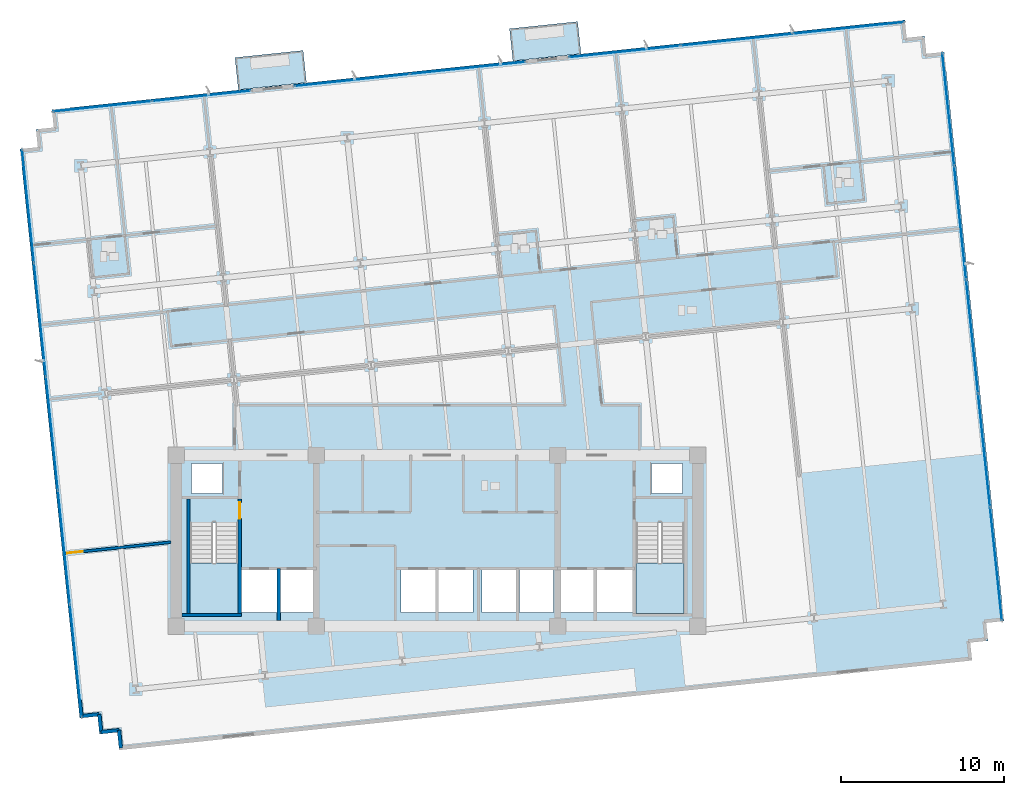
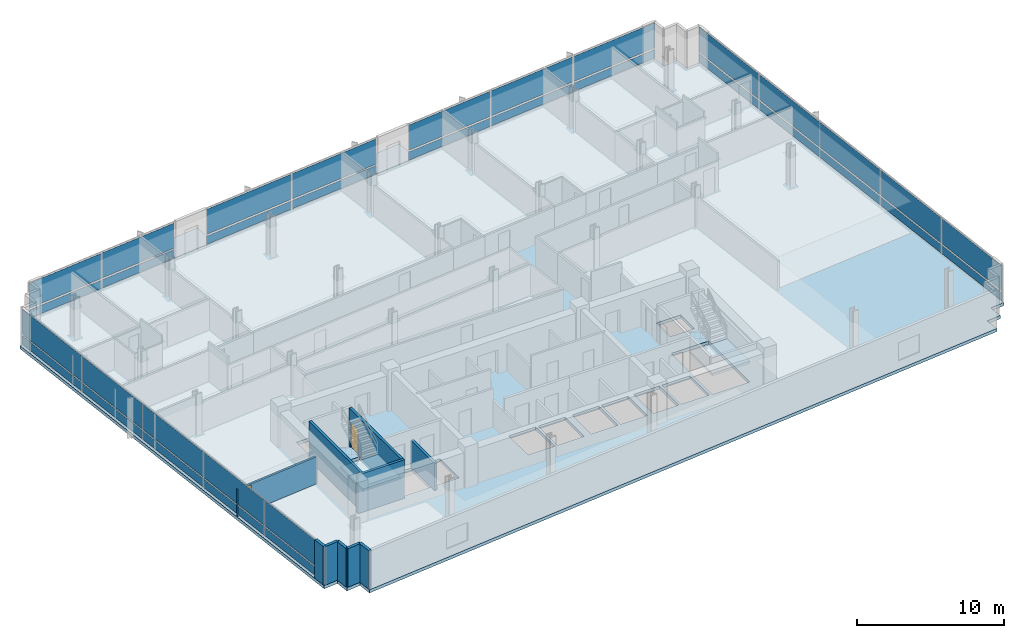
# One storey, part 9 of 18: 34 plates, 10 walls, 5 slabs, 2 doors, 2 openings, 7 elements without a shape of their own.
"""IFC4 building model written with IfcOpenShell, lengths in metres."""

import ifcopenshell
import ifcopenshell.guid

model = None  # the IFC model being written
_history = None  # IfcOwnerHistory: only IFC2X3 demands one
_inside = {}  # id of a spatial element -> (the spatial element, [elements in it])
_under = {}  # id of a project, library or spatial element -> (it, [spatial elements below it])
_declared = {}  # id of a project -> (the project, [libraries it declares])
_typed = {}  # id of a type object -> (the type object, [elements of that type])
_made_of = {}  # id of a material, layer set ... -> (it, [elements and type objects made of it])


def new_model(schema):
    """Start an empty IFC model of exactly this schema.

    Asked for "IFC4X3", IfcOpenShell would pick the latest addendum, in which some entities
    have other attributes; the version numbers below select the first issue.
    IFC2X3 requires an IfcOwnerHistory on every rooted entity: one is made here for all.
    """
    global model, _history
    if schema == "IFC4X3":
        model = ifcopenshell.file(schema_version=(4, 3, 0, 0))
    else:
        model = ifcopenshell.file(schema=schema)
    _inside.clear()
    _under.clear()
    _declared.clear()
    _typed.clear()
    _made_of.clear()
    _history = None
    if model.schema == "IFC2X3":
        org = make("IfcOrganization", Name="unknown")
        user = make(
            "IfcPersonAndOrganization",
            ThePerson=make("IfcPerson", FamilyName="unknown"),
            TheOrganization=org,
        )
        app = make(
            "IfcApplication",
            ApplicationDeveloper=org,
            Version="unknown",
            ApplicationFullName="unknown",
            ApplicationIdentifier="unknown",
        )
        _history = make(
            "IfcOwnerHistory",
            OwningUser=user,
            OwningApplication=app,
            ChangeAction="ADDED",
            CreationDate=0,
        )
    return model


def make(cls, **values):
    """One entity of the class cls with the attributes given. An attribute that is None is left unset."""
    return model.create_entity(
        cls, **{name: value for name, value in values.items() if value is not None}
    )


def rooted(cls, **values):
    """An entity with a GlobalId (a new one), such as an element, a storey or a relation."""
    return make(cls, GlobalId=ifcopenshell.guid.new(), OwnerHistory=_history, **values)


def si_unit(unit_type, name, prefix=None):
    """IfcSIUnit, for example si_unit("LENGTHUNIT", "METRE", prefix="MILLI")."""
    return make("IfcSIUnit", UnitType=unit_type, Prefix=prefix, Name=name)


def assignment(units):
    """IfcUnitAssignment: the units of a project."""
    return None if units is None else make("IfcUnitAssignment", Units=units)


def point(xyz):
    """IfcCartesianPoint."""
    return None if xyz is None else make("IfcCartesianPoint", Coordinates=xyz)


def direction(xyz):
    """IfcDirection."""
    return None if xyz is None else make("IfcDirection", DirectionRatios=xyz)


def frame(location, z_axis=None, x_axis=None):
    """IfcAxis2Placement3D, a coordinate frame: its origin and axes. An axis left out is left unset."""
    return make(
        "IfcAxis2Placement3D",
        Location=point(location),
        Axis=direction(z_axis),
        RefDirection=direction(x_axis),
    )


def frame_2d(location, x_axis=None):
    """IfcAxis2Placement2D, a coordinate frame in the plane: its origin and x axis."""
    return make(
        "IfcAxis2Placement2D", Location=point(location), RefDirection=direction(x_axis)
    )


def origin():
    """The frame at (0, 0, 0) with its axes left unset."""
    return frame((0.0, 0.0, 0.0))


def origin_2d():
    """The frame at (0, 0) in the plane with its x axis left unset."""
    return frame_2d((0.0, 0.0))


def place(relative_to, where):
    """IfcLocalPlacement: puts the frame where relative to a parent placement (None: the world)."""
    return make(
        "IfcLocalPlacement", PlacementRelTo=relative_to, RelativePlacement=where
    )


def context(
    kind, dimensions, precision=None, world=None, true_north=None, identifier=None
):
    """IfcGeometricRepresentationContext, for example the 3D "Model" context."""
    return make(
        "IfcGeometricRepresentationContext",
        ContextIdentifier=identifier,
        ContextType=kind,
        CoordinateSpaceDimension=dimensions,
        Precision=precision,
        WorldCoordinateSystem=world,
        TrueNorth=true_north,
    )


def subcontext(parent, identifier, kind, view, scale=None):
    """IfcGeometricRepresentationSubContext, for example "Body" below "Model"."""
    return make(
        "IfcGeometricRepresentationSubContext",
        ContextIdentifier=identifier,
        ContextType=kind,
        ParentContext=parent,
        TargetScale=scale,
        TargetView=view,
    )


def project(units=None, contexts=None):
    """IfcProject with its units and contexts."""
    return rooted(
        "IfcProject",
        Name="project",
        RepresentationContexts=contexts,
        UnitsInContext=assignment(units),
    )


def spatial(cls, under=None, at=None, **own):
    """A site, building, storey or space (cls), placed at a placement, below another one or the project."""
    s = rooted(cls, ObjectPlacement=at, **own)
    if under is not None:
        _under.setdefault(under.id(), (under, []))[1].append(s)
    return s


def polyline(points):
    """IfcPolyline through the points."""
    return make("IfcPolyline", Points=[point(p) for p in points])


def profile(cls, at=None, kind="AREA", **sizes):
    """A parametric profile (cls). Its sizes go by their IFC names, for example OverallWidth=200.0."""
    return make(cls, ProfileType=kind, Position=at, **sizes)


def rectangle(**sizes):
    """IfcRectangleProfileDef."""
    return profile("IfcRectangleProfileDef", **sizes)


def outline(outer, holes=None, kind="AREA"):
    """IfcArbitraryClosedProfileDef: a profile drawn as a closed curve; with holes, ...WithVoids."""
    if holes is None:
        return make("IfcArbitraryClosedProfileDef", ProfileType=kind, OuterCurve=outer)
    return make(
        "IfcArbitraryProfileDefWithVoids",
        ProfileType=kind,
        OuterCurve=outer,
        InnerCurves=holes,
    )


def extrude(swept, where, along, depth):
    """IfcExtrudedAreaSolid: the profile swept, set in the frame where, extruded along a direction by depth."""
    return make(
        "IfcExtrudedAreaSolid",
        SweptArea=swept,
        Position=where,
        ExtrudedDirection=direction(along),
        Depth=depth,
    )


def shape(context_of_items, identifier, shape_type, items):
    """IfcShapeRepresentation: the items that make up one representation, for example the "Body"."""
    return make(
        "IfcShapeRepresentation",
        ContextOfItems=context_of_items,
        RepresentationIdentifier=identifier,
        RepresentationType=shape_type,
        Items=items,
    )


def material(Name=None, Category=None):
    """IfcMaterial."""
    return make("IfcMaterial", Name=Name, Category=Category)


def layer(
    of_material, thickness, ventilated=None, Name=None, Category=None, Priority=None
):
    """IfcMaterialLayer: one layer of a wall or slab, of a material (None: an air gap)."""
    return make(
        "IfcMaterialLayer",
        Material=of_material,
        LayerThickness=thickness,
        IsVentilated=ventilated,
        Name=Name,
        Category=Category,
        Priority=Priority,
    )


def layer_set(layers, Name=None):
    """IfcMaterialLayerSet."""
    return make("IfcMaterialLayerSet", MaterialLayers=layers, LayerSetName=Name)


def made_of(thing, what):
    """Note that an element or type object is made of a material, layer set ...; save() writes the relation."""
    if what is not None:
        _made_of.setdefault(what.id(), (what, []))[1].append(thing)
    return thing


def type_object(cls, material=None, **own):
    """A type object (cls), such as IfcWallType, which elements share."""
    return made_of(rooted(cls, **own), material)


def element(
    cls,
    number,
    at=None,
    inside=None,
    cuts=None,
    type_object=None,
    material=None,
    context=None,
    identifier="Body",
    shape_type=None,
    held_by="IfcProductDefinitionShape",
    body=None,
    shapes=None,
    **own,
):
    """One element of the class cls, such as IfcWall. Its Tag is "e" and its number.

    at: its placement. inside: the storey or other place that contains it. cuts: it is an
    opening in that element (IfcRelVoidsElement). A single representation is given by context,
    identifier, shape_type and body (its items); several are given by shapes. held_by: the class
    of the entity that holds the representations. save() writes the other relations.
    """
    e = rooted(cls, Tag="e%d" % number, ObjectPlacement=at, **own)
    if body is not None:
        shapes = [shape(context, identifier, shape_type, body)]
    if shapes is not None:
        e.Representation = make(held_by, Representations=shapes)
    if inside is not None:
        _inside.setdefault(inside.id(), (inside, []))[1].append(e)
    if cuts is not None:
        rooted(
            "IfcRelVoidsElement", RelatingBuildingElement=cuts, RelatedOpeningElement=e
        )
    if type_object is not None:
        _typed.setdefault(type_object.id(), (type_object, []))[1].append(e)
    return made_of(e, material)


def fill(opening, filler):
    """IfcRelFillsElement: the door or window that sits in an opening."""
    return rooted(
        "IfcRelFillsElement",
        RelatingOpeningElement=opening,
        RelatedBuildingElement=filler,
    )


def aggregate(whole, parts):
    """IfcRelAggregates: a whole, such as a stair, and the parts it consists of."""
    return rooted("IfcRelAggregates", RelatingObject=whole, RelatedObjects=parts)


def save(model, path):
    """Write the relations noted so far, then the file.

    IfcRelAggregates (storeys below a building ...), IfcRelContainedInSpatialStructure (elements
    in a storey), IfcRelDefinesByType, IfcRelAssociatesMaterial and IfcRelDeclares: one each for
    every whole, place, type object, material and project.
    """
    for whole, parts in _under.values():
        aggregate(whole, parts)
    for where, things in _inside.values():
        rooted(
            "IfcRelContainedInSpatialStructure",
            RelatedElements=things,
            RelatingStructure=where,
        )
    for kind, things in _typed.values():
        rooted("IfcRelDefinesByType", RelatedObjects=things, RelatingType=kind)
    for what, things in _made_of.values():
        rooted("IfcRelAssociatesMaterial", RelatedObjects=things, RelatingMaterial=what)
    for by, libraries in _declared.values():
        rooted("IfcRelDeclares", RelatingContext=by, RelatedDefinitions=libraries)
    model.write(path)


model = new_model("IFC4")

# Units and contexts
model_context = context("Model", 3, precision=1e-05, world=origin(), true_north=direction((0.0, 1.0)))
body_context = subcontext(model_context, "Body", "Model", "MODEL_VIEW")
ifc_project = project(units=[si_unit("LENGTHUNIT", "METRE"), si_unit("AREAUNIT", "SQUARE_METRE"), si_unit("VOLUMEUNIT", "CUBIC_METRE"), si_unit("PLANEANGLEUNIT", "RADIAN"), si_unit("MASSUNIT", "GRAM", prefix="KILO")], contexts=[model_context])

# Site, building, storey
site_placement = place(None, origin())
site = spatial("IfcSite", under=ifc_project, at=site_placement, CompositionType="ELEMENT")
building_placement = place(site_placement, origin())
building = spatial("IfcBuilding", under=site, at=building_placement, Name="Solmavex Isthmus Hotel", CompositionType="ELEMENT")
storey_placement = place(building_placement, frame((0.0, 0.0, 123.60009765625)))
storey = spatial("IfcBuildingStorey", under=building, at=storey_placement, Name="L33", CompositionType="ELEMENT", Elevation=123.60009765625)

# Curtain wall, plates
ifc_material_1 = material(Name="Aluminium alloy 6063-T6", Category="aluminium")
curtain_wall_type = type_object("IfcCurtainWallType", Name="CW-SYS-03", PredefinedType="NOTDEFINED", material=ifc_material_1)
curtain_wall_1_placement = place(storey_placement, origin())
curtain_wall_1 = element("IfcCurtainWall", 1, at=curtain_wall_1_placement, inside=storey, type_object=curtain_wall_type, Name="Stick Curtain Wall CWL-L33-N1", PredefinedType="NOTDEFINED")
ifc_material_2 = material(Name="Clear low-E laminated glass", Category="glass")
ifc_layer_1 = layer(ifc_material_2, 0.030029296875)
ifc_layer_set_1 = layer_set([ifc_layer_1], Name="Clear low-E laminated glass")
plate_type = type_object("IfcPlateType", Name="CW-SYS-03-PNL", PredefinedType="CURTAIN_PANEL", material=ifc_layer_set_1)
plate_1_placement = place(storey_placement, frame((-20.531982421875, 18.896728515625, 0.139892578125), z_axis=(0.0, 0.0, 1.0), x_axis=(0.994521931062, 0.104528123665, 0.0)))
plate_1 = element("IfcPlate", 2, at=plate_1_placement, type_object=plate_type, Name="CW-03 panel 1.1", PredefinedType="CURTAIN_PANEL", context=body_context, shape_type="SweptSolid", body=[
    extrude(rectangle(XDim=6.04541015625, YDim=0.030029296875, at=origin_2d()), origin(), (0.0, 0.0, 1.0), 0.68994140625),
])
plate_2_placement = place(storey_placement, frame((-20.531982421875, 18.896728515625, 0.969970703125), z_axis=(0.0, 0.0, 1.0), x_axis=(0.994521931062, 0.104528123665, 0.0)))
plate_2 = element("IfcPlate", 3, at=plate_2_placement, type_object=plate_type, Name="CW-03 panel 1.2", PredefinedType="CURTAIN_PANEL", context=body_context, shape_type="SweptSolid", body=[
    extrude(rectangle(XDim=6.04541015625, YDim=0.030029296875, at=origin_2d()), origin(), (0.0, 0.0, 1.0), 2.080078125),
])
plate_3_placement = place(storey_placement, frame((-14.449951171875, 19.535888671875, 0.139892578125), z_axis=(0.0, 0.0, 1.0), x_axis=(0.994521931062, 0.104528123665, 0.0)))
plate_3 = element("IfcPlate", 4, at=plate_3_placement, type_object=plate_type, Name="CW-03 panel 2.1", PredefinedType="CURTAIN_PANEL", context=body_context, shape_type="SweptSolid", body=[
    extrude(rectangle(XDim=6.04541015625, YDim=0.030029296875, at=origin_2d()), origin(), (0.0, 0.0, 1.0), 0.68994140625),
])
plate_4_placement = place(storey_placement, frame((-14.449951171875, 19.535888671875, 0.969970703125), z_axis=(0.0, 0.0, 1.0), x_axis=(0.994521931062, 0.104528123665, 0.0)))
plate_4 = element("IfcPlate", 5, at=plate_4_placement, type_object=plate_type, Name="CW-03 panel 2.2", PredefinedType="CURTAIN_PANEL", context=body_context, shape_type="SweptSolid", body=[
    extrude(rectangle(XDim=6.04541015625, YDim=0.030029296875, at=origin_2d()), origin(), (0.0, 0.0, 1.0), 2.080078125),
])
aggregate(curtain_wall_1, [plate_1, plate_2, plate_3, plate_4])

curtain_wall_2_placement = place(storey_placement, origin())
curtain_wall_2 = element("IfcCurtainWall", 6, at=curtain_wall_2_placement, inside=storey, type_object=curtain_wall_type, Name="Stick Curtain Wall CWL-L33-N2", PredefinedType="NOTDEFINED")
plate_5_placement = place(storey_placement, frame((-5.207763671875, 20.50732421875, 0.139892578125), z_axis=(0.0, 0.0, 1.0), x_axis=(0.994521911082, 0.104528313766, 0.0)))
plate_5 = element("IfcPlate", 7, at=plate_5_placement, type_object=plate_type, Name="CW-03 panel 1.1", PredefinedType="CURTAIN_PANEL", context=body_context, shape_type="SweptSolid", body=[
    extrude(rectangle(XDim=7.06103515625, YDim=0.030029296875, at=origin_2d()), origin(), (0.0, 0.0, 1.0), 0.68994140625),
])
plate_6_placement = place(storey_placement, frame((-5.207763671875, 20.50732421875, 0.969970703125), z_axis=(0.0, 0.0, 1.0), x_axis=(0.994521911082, 0.104528313766, 0.0)))
plate_6 = element("IfcPlate", 8, at=plate_6_placement, type_object=plate_type, Name="CW-03 panel 1.2", PredefinedType="CURTAIN_PANEL", context=body_context, shape_type="SweptSolid", body=[
    extrude(rectangle(XDim=7.06103515625, YDim=0.030029296875, at=origin_2d()), origin(), (0.0, 0.0, 1.0), 2.080078125),
])
plate_7_placement = place(storey_placement, frame((1.88427734375, 21.252685546875, 0.139892578125), z_axis=(0.0, 0.0, 1.0), x_axis=(0.994521911082, 0.104528313766, 0.0)))
plate_7 = element("IfcPlate", 9, at=plate_7_placement, type_object=plate_type, Name="CW-03 panel 2.1", PredefinedType="CURTAIN_PANEL", context=body_context, shape_type="SweptSolid", body=[
    extrude(rectangle(XDim=7.06103515625, YDim=0.030029296875, at=origin_2d()), origin(), (0.0, 0.0, 1.0), 0.68994140625),
])
plate_8_placement = place(storey_placement, frame((1.88427734375, 21.252685546875, 0.969970703125), z_axis=(0.0, 0.0, 1.0), x_axis=(0.994521911082, 0.104528313766, 0.0)))
plate_8 = element("IfcPlate", 10, at=plate_8_placement, type_object=plate_type, Name="CW-03 panel 2.2", PredefinedType="CURTAIN_PANEL", context=body_context, shape_type="SweptSolid", body=[
    extrude(rectangle(XDim=7.06103515625, YDim=0.030029296875, at=origin_2d()), origin(), (0.0, 0.0, 1.0), 2.080078125),
])
aggregate(curtain_wall_2, [plate_5, plate_6, plate_7, plate_8])

curtain_wall_3_placement = place(storey_placement, origin())
curtain_wall_3 = element("IfcCurtainWall", 11, at=curtain_wall_3_placement, inside=storey, type_object=curtain_wall_type, Name="Stick Curtain Wall CWL-L33-N3", PredefinedType="NOTDEFINED")
plate_9_placement = place(storey_placement, frame((11.510498046875, 22.264404296875, 0.139892578125), z_axis=(0.0, 0.0, 1.0), x_axis=(0.994521905105, 0.10452837063, 0.0)))
plate_9 = element("IfcPlate", 12, at=plate_9_placement, type_object=plate_type, Name="CW-03 panel 1.1", PredefinedType="CURTAIN_PANEL", context=body_context, shape_type="SweptSolid", body=[
    extrude(rectangle(XDim=6.8173828125, YDim=0.030029296875, at=origin_2d()), origin(), (0.0, 0.0, 1.0), 0.68994140625),
])
plate_10_placement = place(storey_placement, frame((11.510498046875, 22.264404296875, 0.969970703125), z_axis=(0.0, 0.0, 1.0), x_axis=(0.994521905105, 0.10452837063, 0.0)))
plate_10 = element("IfcPlate", 13, at=plate_10_placement, type_object=plate_type, Name="CW-03 panel 1.2", PredefinedType="CURTAIN_PANEL", context=body_context, shape_type="SweptSolid", body=[
    extrude(rectangle(XDim=6.8173828125, YDim=0.030029296875, at=origin_2d()), origin(), (0.0, 0.0, 1.0), 2.080078125),
])
plate_11_placement = place(storey_placement, frame((18.37744140625, 22.986083984375, 0.139892578125), z_axis=(0.0, 0.0, 1.0), x_axis=(0.994521905105, 0.10452837063, 0.0)))
plate_11 = element("IfcPlate", 14, at=plate_11_placement, type_object=plate_type, Name="CW-03 panel 2.1", PredefinedType="CURTAIN_PANEL", context=body_context, shape_type="SweptSolid", body=[
    extrude(rectangle(XDim=6.852294921875, YDim=0.030029296875, at=origin_2d()), origin(), (0.0, 0.0, 1.0), 0.68994140625),
])
plate_12_placement = place(storey_placement, frame((18.37744140625, 22.986083984375, 0.969970703125), z_axis=(0.0, 0.0, 1.0), x_axis=(0.994521905105, 0.10452837063, 0.0)))
plate_12 = element("IfcPlate", 15, at=plate_12_placement, type_object=plate_type, Name="CW-03 panel 2.2", PredefinedType="CURTAIN_PANEL", context=body_context, shape_type="SweptSolid", body=[
    extrude(rectangle(XDim=6.852294921875, YDim=0.030029296875, at=origin_2d()), origin(), (0.0, 0.0, 1.0), 2.080078125),
])
plate_13_placement = place(storey_placement, frame((25.244384765625, 23.7080078125, 0.139892578125), z_axis=(0.0, 0.0, 1.0), x_axis=(0.994521905105, 0.10452837063, 0.0)))
plate_13 = element("IfcPlate", 16, at=plate_13_placement, type_object=plate_type, Name="CW-03 panel 3.1", PredefinedType="CURTAIN_PANEL", context=body_context, shape_type="SweptSolid", body=[
    extrude(rectangle(XDim=6.8173828125, YDim=0.030029296875, at=origin_2d()), origin(), (0.0, 0.0, 1.0), 0.68994140625),
])
plate_14_placement = place(storey_placement, frame((25.244384765625, 23.7080078125, 0.969970703125), z_axis=(0.0, 0.0, 1.0), x_axis=(0.994521905105, 0.10452837063, 0.0)))
plate_14 = element("IfcPlate", 17, at=plate_14_placement, type_object=plate_type, Name="CW-03 panel 3.2", PredefinedType="CURTAIN_PANEL", context=body_context, shape_type="SweptSolid", body=[
    extrude(rectangle(XDim=6.8173828125, YDim=0.030029296875, at=origin_2d()), origin(), (0.0, 0.0, 1.0), 2.080078125),
])
aggregate(curtain_wall_3, [plate_9, plate_10, plate_11, plate_12, plate_13, plate_14])

curtain_wall_4_placement = place(storey_placement, origin())
curtain_wall_4 = element("IfcCurtainWall", 18, at=curtain_wall_4_placement, inside=storey, type_object=curtain_wall_type, Name="Stick Curtain Wall CWL-L33-W1", PredefinedType="NOTDEFINED")
plate_15_placement = place(storey_placement, frame((-22.15869140625, -15.1123046875, 0.139892578125), z_axis=(0.0, 0.0, 1.0), x_axis=(-0.104528485381, 0.994521893044, 0.0)))
plate_15 = element("IfcPlate", 19, at=plate_15_placement, type_object=plate_type, Name="CW-03 panel 1.1", PredefinedType="CURTAIN_PANEL", context=body_context, shape_type="SweptSolid", body=[
    extrude(rectangle(XDim=6.9150390625, YDim=0.030029296875, at=origin_2d()), origin(), (0.0, 0.0, 1.0), 0.68994140625),
])
plate_16_placement = place(storey_placement, frame((-22.15869140625, -15.1123046875, 0.969970703125), z_axis=(0.0, 0.0, 1.0), x_axis=(-0.104528485381, 0.994521893044, 0.0)))
plate_16 = element("IfcPlate", 20, at=plate_16_placement, type_object=plate_type, Name="CW-03 panel 1.2", PredefinedType="CURTAIN_PANEL", context=body_context, shape_type="SweptSolid", body=[
    extrude(rectangle(XDim=6.9150390625, YDim=0.030029296875, at=origin_2d()), origin(), (0.0, 0.0, 1.0), 2.080078125),
])
plate_17_placement = place(storey_placement, frame((-22.890625, -8.14794921875, 0.139892578125), z_axis=(0.0, 0.0, 1.0), x_axis=(-0.104528485381, 0.994521893044, 0.0)))
plate_17 = element("IfcPlate", 21, at=plate_17_placement, type_object=plate_type, Name="CW-03 panel 2.1", PredefinedType="CURTAIN_PANEL", context=body_context, shape_type="SweptSolid", body=[
    extrude(rectangle(XDim=6.949951171875, YDim=0.030029296875, at=origin_2d()), origin(), (0.0, 0.0, 1.0), 0.68994140625),
])
plate_18_placement = place(storey_placement, frame((-22.890625, -8.14794921875, 0.969970703125), z_axis=(0.0, 0.0, 1.0), x_axis=(-0.104528485381, 0.994521893044, 0.0)))
plate_18 = element("IfcPlate", 22, at=plate_18_placement, type_object=plate_type, Name="CW-03 panel 2.2", PredefinedType="CURTAIN_PANEL", context=body_context, shape_type="SweptSolid", body=[
    extrude(rectangle(XDim=6.949951171875, YDim=0.030029296875, at=origin_2d()), origin(), (0.0, 0.0, 1.0), 2.080078125),
])
plate_19_placement = place(storey_placement, frame((-23.62451171875, -1.16650390625, 0.139892578125), z_axis=(0.0, 0.0, 1.0), x_axis=(-0.104528485381, 0.994521893044, 0.0)))
plate_19 = element("IfcPlate", 23, at=plate_19_placement, type_object=plate_type, Name="CW-03 panel 3.1", PredefinedType="CURTAIN_PANEL", context=body_context, shape_type="SweptSolid", body=[
    extrude(rectangle(XDim=6.949951171875, YDim=0.030029296875, at=origin_2d()), origin(), (0.0, 0.0, 1.0), 0.68994140625),
])
plate_20_placement = place(storey_placement, frame((-23.62451171875, -1.16650390625, 0.969970703125), z_axis=(0.0, 0.0, 1.0), x_axis=(-0.104528485381, 0.994521893044, 0.0)))
plate_20 = element("IfcPlate", 24, at=plate_20_placement, type_object=plate_type, Name="CW-03 panel 3.2", PredefinedType="CURTAIN_PANEL", context=body_context, shape_type="SweptSolid", body=[
    extrude(rectangle(XDim=6.949951171875, YDim=0.030029296875, at=origin_2d()), origin(), (0.0, 0.0, 1.0), 2.080078125),
])
plate_21_placement = place(storey_placement, frame((-24.3583984375, 5.81494140625, 0.139892578125), z_axis=(0.0, 0.0, 1.0), x_axis=(-0.104528485381, 0.994521893044, 0.0)))
plate_21 = element("IfcPlate", 25, at=plate_21_placement, type_object=plate_type, Name="CW-03 panel 4.1", PredefinedType="CURTAIN_PANEL", context=body_context, shape_type="SweptSolid", body=[
    extrude(rectangle(XDim=6.949951171875, YDim=0.030029296875, at=origin_2d()), origin(), (0.0, 0.0, 1.0), 0.68994140625),
])
plate_22_placement = place(storey_placement, frame((-24.3583984375, 5.81494140625, 0.969970703125), z_axis=(0.0, 0.0, 1.0), x_axis=(-0.104528485381, 0.994521893044, 0.0)))
plate_22 = element("IfcPlate", 26, at=plate_22_placement, type_object=plate_type, Name="CW-03 panel 4.2", PredefinedType="CURTAIN_PANEL", context=body_context, shape_type="SweptSolid", body=[
    extrude(rectangle(XDim=6.949951171875, YDim=0.030029296875, at=origin_2d()), origin(), (0.0, 0.0, 1.0), 2.080078125),
])
plate_23_placement = place(storey_placement, frame((-25.09033203125, 12.779052734375, 0.139892578125), z_axis=(0.0, 0.0, 1.0), x_axis=(-0.104528485381, 0.994521893044, 0.0)))
plate_23 = element("IfcPlate", 27, at=plate_23_placement, type_object=plate_type, Name="CW-03 panel 5.1", PredefinedType="CURTAIN_PANEL", context=body_context, shape_type="SweptSolid", body=[
    extrude(rectangle(XDim=6.9150390625, YDim=0.030029296875, at=origin_2d()), origin(), (0.0, 0.0, 1.0), 0.68994140625),
])
plate_24_placement = place(storey_placement, frame((-25.09033203125, 12.779052734375, 0.969970703125), z_axis=(0.0, 0.0, 1.0), x_axis=(-0.104528485381, 0.994521893044, 0.0)))
plate_24 = element("IfcPlate", 28, at=plate_24_placement, type_object=plate_type, Name="CW-03 panel 5.2", PredefinedType="CURTAIN_PANEL", context=body_context, shape_type="SweptSolid", body=[
    extrude(rectangle(XDim=6.9150390625, YDim=0.030029296875, at=origin_2d()), origin(), (0.0, 0.0, 1.0), 2.080078125),
])
aggregate(curtain_wall_4, [plate_15, plate_16, plate_17, plate_18, plate_19, plate_20, plate_21, plate_22, plate_23, plate_24])

curtain_wall_5_placement = place(storey_placement, origin())
curtain_wall_5 = element("IfcCurtainWall", 29, at=curtain_wall_5_placement, inside=storey, type_object=curtain_wall_type, Name="Stick Curtain Wall CWL-L33-E1", PredefinedType="NOTDEFINED")
plate_25_placement = place(storey_placement, frame((34.290283203125, -9.17919921875, 0.139892578125), z_axis=(0.0, 0.0, 1.0), x_axis=(-0.104528485381, 0.994521893044, 0.0)))
plate_25 = element("IfcPlate", 30, at=plate_25_placement, type_object=plate_type, Name="CW-03 panel 1.1", PredefinedType="CURTAIN_PANEL", context=body_context, shape_type="SweptSolid", body=[
    extrude(rectangle(XDim=6.9150390625, YDim=0.030029296875, at=origin_2d()), origin(), (0.0, 0.0, 1.0), 0.68994140625),
])
plate_26_placement = place(storey_placement, frame((34.290283203125, -9.17919921875, 0.969970703125), z_axis=(0.0, 0.0, 1.0), x_axis=(-0.104528485381, 0.994521893044, 0.0)))
plate_26 = element("IfcPlate", 31, at=plate_26_placement, type_object=plate_type, Name="CW-03 panel 1.2", PredefinedType="CURTAIN_PANEL", context=body_context, shape_type="SweptSolid", body=[
    extrude(rectangle(XDim=6.9150390625, YDim=0.030029296875, at=origin_2d()), origin(), (0.0, 0.0, 1.0), 2.080078125),
])
plate_27_placement = place(storey_placement, frame((33.558349609375, -2.215087890625, 0.139892578125), z_axis=(0.0, 0.0, 1.0), x_axis=(-0.104528485381, 0.994521893044, 0.0)))
plate_27 = element("IfcPlate", 32, at=plate_27_placement, type_object=plate_type, Name="CW-03 panel 2.1", PredefinedType="CURTAIN_PANEL", context=body_context, shape_type="SweptSolid", body=[
    extrude(rectangle(XDim=6.949951171875, YDim=0.030029296875, at=origin_2d()), origin(), (0.0, 0.0, 1.0), 0.68994140625),
])
plate_28_placement = place(storey_placement, frame((33.558349609375, -2.215087890625, 0.969970703125), z_axis=(0.0, 0.0, 1.0), x_axis=(-0.104528485381, 0.994521893044, 0.0)))
plate_28 = element("IfcPlate", 33, at=plate_28_placement, type_object=plate_type, Name="CW-03 panel 2.2", PredefinedType="CURTAIN_PANEL", context=body_context, shape_type="SweptSolid", body=[
    extrude(rectangle(XDim=6.949951171875, YDim=0.030029296875, at=origin_2d()), origin(), (0.0, 0.0, 1.0), 2.080078125),
])
plate_29_placement = place(storey_placement, frame((32.824462890625, 4.7666015625, 0.139892578125), z_axis=(0.0, 0.0, 1.0), x_axis=(-0.104528485381, 0.994521893044, 0.0)))
plate_29 = element("IfcPlate", 34, at=plate_29_placement, type_object=plate_type, Name="CW-03 panel 3.1", PredefinedType="CURTAIN_PANEL", context=body_context, shape_type="SweptSolid", body=[
    extrude(rectangle(XDim=6.949951171875, YDim=0.030029296875, at=origin_2d()), origin(), (0.0, 0.0, 1.0), 0.68994140625),
])
plate_30_placement = place(storey_placement, frame((32.824462890625, 4.7666015625, 0.969970703125), z_axis=(0.0, 0.0, 1.0), x_axis=(-0.104528485381, 0.994521893044, 0.0)))
plate_30 = element("IfcPlate", 35, at=plate_30_placement, type_object=plate_type, Name="CW-03 panel 3.2", PredefinedType="CURTAIN_PANEL", context=body_context, shape_type="SweptSolid", body=[
    extrude(rectangle(XDim=6.949951171875, YDim=0.030029296875, at=origin_2d()), origin(), (0.0, 0.0, 1.0), 2.080078125),
])
plate_31_placement = place(storey_placement, frame((32.0908203125, 11.748046875, 0.139892578125), z_axis=(0.0, 0.0, 1.0), x_axis=(-0.104528485381, 0.994521893044, 0.0)))
plate_31 = element("IfcPlate", 36, at=plate_31_placement, type_object=plate_type, Name="CW-03 panel 4.1", PredefinedType="CURTAIN_PANEL", context=body_context, shape_type="SweptSolid", body=[
    extrude(rectangle(XDim=6.949951171875, YDim=0.030029296875, at=origin_2d()), origin(), (0.0, 0.0, 1.0), 0.68994140625),
])
plate_32_placement = place(storey_placement, frame((32.0908203125, 11.748046875, 0.969970703125), z_axis=(0.0, 0.0, 1.0), x_axis=(-0.104528485381, 0.994521893044, 0.0)))
plate_32 = element("IfcPlate", 37, at=plate_32_placement, type_object=plate_type, Name="CW-03 panel 4.2", PredefinedType="CURTAIN_PANEL", context=body_context, shape_type="SweptSolid", body=[
    extrude(rectangle(XDim=6.949951171875, YDim=0.030029296875, at=origin_2d()), origin(), (0.0, 0.0, 1.0), 2.080078125),
])
plate_33_placement = place(storey_placement, frame((31.35888671875, 18.712158203125, 0.139892578125), z_axis=(0.0, 0.0, 1.0), x_axis=(-0.104528485381, 0.994521893044, 0.0)))
plate_33 = element("IfcPlate", 38, at=plate_33_placement, type_object=plate_type, Name="CW-03 panel 5.1", PredefinedType="CURTAIN_PANEL", context=body_context, shape_type="SweptSolid", body=[
    extrude(rectangle(XDim=6.9150390625, YDim=0.030029296875, at=origin_2d()), origin(), (0.0, 0.0, 1.0), 0.68994140625),
])
plate_34_placement = place(storey_placement, frame((31.35888671875, 18.712158203125, 0.969970703125), z_axis=(0.0, 0.0, 1.0), x_axis=(-0.104528485381, 0.994521893044, 0.0)))
plate_34 = element("IfcPlate", 39, at=plate_34_placement, type_object=plate_type, Name="CW-03 panel 5.2", PredefinedType="CURTAIN_PANEL", context=body_context, shape_type="SweptSolid", body=[
    extrude(rectangle(XDim=6.9150390625, YDim=0.030029296875, at=origin_2d()), origin(), (0.0, 0.0, 1.0), 2.080078125),
])
aggregate(curtain_wall_5, [plate_25, plate_26, plate_27, plate_28, plate_29, plate_30, plate_31, plate_32, plate_33, plate_34])

# Slabs
ifc_material_3 = material(Name="Concrete C40/50", Category="concrete")
ifc_layer_2 = layer(ifc_material_3, 0.239990234375)
ifc_layer_set_2 = layer_set([ifc_layer_2], Name="Concrete C40/50")
slab_type_1 = type_object("IfcSlabType", Name="SLAB-BALC-240", PredefinedType="FLOOR", material=ifc_layer_set_2)
slab_1_placement = place(storey_placement, frame((0.0, 0.0, -0.239990234375)))
element("IfcSlab", 40, at=slab_1_placement, inside=storey, type_object=slab_type_1, Name="Tree-Planter Balcony Slab L33-B1", PredefinedType="FLOOR", context=body_context, shape_type="SweptSolid", body=[
    extrude(outline(polyline([(-12.183837890625, 19.909912109375), (-8.0068359375, 20.348876953125), (-8.21435546875, 22.322998046875), (-12.391357421875, 21.884033203125), (-12.183837890625, 19.909912109375)])), origin(), (0.0, 0.0, 1.0), 0.239990234375),
])
slab_2_placement = place(storey_placement, frame((0.0, 0.0, -0.239990234375)))
element("IfcSlab", 41, at=slab_2_placement, inside=storey, type_object=slab_type_1, Name="Tree-Planter Balcony Slab L33-B2", PredefinedType="FLOOR", context=body_context, shape_type="SweptSolid", body=[
    extrude(outline(polyline([(4.6552734375, 21.6796875), (8.832275390625, 22.11865234375), (8.624755859375, 24.0927734375), (4.44775390625, 23.65380859375), (4.6552734375, 21.6796875)])), origin(), (0.0, 0.0, 1.0), 0.239990234375),
])
ifc_layer_3 = layer(ifc_material_3, 0.260009765625)
ifc_layer_set_3 = layer_set([ifc_layer_3], Name="Concrete C40/50")
slab_type_2 = type_object("IfcSlabType", Name="SLAB-TYP-260", PredefinedType="FLOOR", material=ifc_layer_set_3)
slab_3_placement = place(storey_placement, frame((0.0, 0.0, -0.260009765625)))
element("IfcSlab", 42, at=slab_3_placement, inside=storey, type_object=slab_type_2, Name="Tower Structural Floor Slab L33", PredefinedType="FLOOR", context=body_context, shape_type="SweptSolid", body=[
    extrude(outline(polyline([(-18.3974609375, -20.475830078125), (31.726318359375, -15.207763671875), (32.8203125, -15.0927734375), (32.705322265625, -13.998779296875), (33.79931640625, -13.8837890625), (33.684326171875, -12.789794921875), (34.7783203125, -12.6748046875), (34.663330078125, -11.580810546875), (31.224365234375, 21.138916015625), (31.109375, 22.23291015625), (30.015380859375, 22.117919921875), (29.900390625, 23.2119140625), (28.806396484375, 23.096923828125), (28.69140625, 24.19091796875), (27.597412109375, 24.075927734375), (-22.5263671875, 18.8076171875), (-23.620361328125, 18.692626953125), (-23.50537109375, 17.5986328125), (-24.599365234375, 17.483642578125), (-24.484375, 16.389892578125), (-25.578369140625, 16.27490234375), (-25.46337890625, 15.180908203125), (-22.0244140625, -17.5390625), (-21.909423828125, -18.6328125), (-20.8154296875, -18.517822265625), (-20.700439453125, -19.61181640625), (-19.6064453125, -19.496826171875), (-19.491455078125, -20.5908203125), (-18.3974609375, -20.475830078125)]), holes=[polyline([(-15.14990234375, -6.617919921875), (-15.14990234375, -12.199951171875), (-12.199951171875, -12.199951171875), (-12.199951171875, -6.617919921875), (-15.14990234375, -6.617919921875)]), polyline([(12.199951171875, -6.617919921875), (12.199951171875, -12.199951171875), (15.14990234375, -12.199951171875), (15.14990234375, -6.617919921875), (12.199951171875, -6.617919921875)]), polyline([(-12.0, -12.14990234375), (-9.800048828125, -12.14990234375), (-9.800048828125, -9.550048828125), (-12.0, -9.550048828125), (-12.0, -12.14990234375)]), polyline([(9.800048828125, -12.14990234375), (12.0, -12.14990234375), (12.0, -9.550048828125), (9.800048828125, -9.550048828125), (9.800048828125, -12.14990234375)]), polyline([(-9.60009765625, -12.14990234375), (-7.60009765625, -12.14990234375), (-7.60009765625, -9.550048828125), (-9.60009765625, -9.550048828125), (-9.60009765625, -12.14990234375)]), polyline([(7.60009765625, -12.14990234375), (9.60009765625, -12.14990234375), (9.60009765625, -9.550048828125), (7.60009765625, -9.550048828125), (7.60009765625, -12.14990234375)]), polyline([(-2.199951171875, -12.14990234375), (-0.10009765625, -12.14990234375), (-0.10009765625, -9.550048828125), (-2.199951171875, -9.550048828125), (-2.199951171875, -12.14990234375)]), polyline([(0.10009765625, -12.14990234375), (2.199951171875, -12.14990234375), (2.199951171875, -9.550048828125), (0.10009765625, -9.550048828125), (0.10009765625, -12.14990234375)]), polyline([(2.75, -12.14990234375), (4.85009765625, -12.14990234375), (4.85009765625, -9.550048828125), (2.75, -9.550048828125), (2.75, -12.14990234375)]), polyline([(5.050048828125, -12.14990234375), (7.14990234375, -12.14990234375), (7.14990234375, -9.550048828125), (5.050048828125, -9.550048828125), (5.050048828125, -12.14990234375)]), polyline([(-15.050048828125, -4.85009765625), (-13.14990234375, -4.85009765625), (-13.14990234375, -3.0), (-15.050048828125, -3.0), (-15.050048828125, -4.85009765625)]), polyline([(13.14990234375, -4.85009765625), (15.050048828125, -4.85009765625), (15.050048828125, -3.0), (13.14990234375, -3.0), (13.14990234375, -4.85009765625)])]), origin(), (0.0, 0.0, 1.0), 0.260009765625),
])

# Stair, slab
stair_type_1 = type_object("IfcStairType", Name="STR-ST-1", PredefinedType="HALF_TURN_STAIR", material=ifc_material_3)
stair_1_placement = place(storey_placement, origin())
stair_1 = element("IfcStair", 43, at=stair_1_placement, inside=storey, type_object=stair_type_1, Name="L33 Protected Exit Stair ST-1", PredefinedType="HALF_TURN_STAIR")
ifc_layer_4 = layer(ifc_material_3, 0.219970703125)
ifc_layer_set_4 = layer_set([ifc_layer_4], Name="Concrete C40/50")
slab_type_3 = type_object("IfcSlabType", Name="SLD-ST-1", PredefinedType="LANDING", material=ifc_layer_set_4)
slab_4_placement = place(storey_placement, frame((0.0, 0.0, 1.52490234375)))
slab_4 = element("IfcSlab", 44, at=slab_4_placement, type_object=slab_type_3, Name="ST-1 landing 1", PredefinedType="LANDING", context=body_context, shape_type="SweptSolid", body=[
    extrude(outline(polyline([(-15.14990234375, -9.1201171875), (-15.14990234375, -12.199951171875), (-12.199951171875, -12.199951171875), (-12.199951171875, -9.1201171875), (-15.14990234375, -9.1201171875)])), origin(), (0.0, 0.0, 1.0), 0.199951171875),
])
aggregate(stair_1, [slab_4])

stair_type_2 = type_object("IfcStairType", Name="STR-ST-2", PredefinedType="HALF_TURN_STAIR", material=ifc_material_3)
stair_2_placement = place(storey_placement, origin())
stair_2 = element("IfcStair", 45, at=stair_2_placement, inside=storey, type_object=stair_type_2, Name="L33 Protected Exit Stair ST-2", PredefinedType="HALF_TURN_STAIR")
ifc_layer_5 = layer(ifc_material_3, 0.219970703125)
ifc_layer_set_5 = layer_set([ifc_layer_5], Name="Concrete C40/50")
slab_type_4 = type_object("IfcSlabType", Name="SLD-ST-2", PredefinedType="LANDING", material=ifc_layer_set_5)
slab_5_placement = place(storey_placement, frame((0.0, 0.0, 1.52490234375)))
slab_5 = element("IfcSlab", 46, at=slab_5_placement, type_object=slab_type_4, Name="ST-2 landing 1", PredefinedType="LANDING", context=body_context, shape_type="SweptSolid", body=[
    extrude(outline(polyline([(12.199951171875, -9.1201171875), (12.199951171875, -12.199951171875), (15.14990234375, -12.199951171875), (15.14990234375, -9.1201171875), (12.199951171875, -9.1201171875)])), origin(), (0.0, 0.0, 1.0), 0.199951171875),
])
aggregate(stair_2, [slab_5])

# Walls
ifc_material_4 = material(Name="Precast Concrete C40/50", Category="concrete")
ifc_layer_6 = layer(ifc_material_4, 0.25)
ifc_layer_set_6 = layer_set([ifc_layer_6], Name="Precast Concrete C40/50")
wall_type_1 = type_object("IfcWallType", Name="EW-TWR-250", PredefinedType="STANDARD", material=ifc_layer_set_6)
for number, where, z_axis, x_axis, name in (
    (47, (-19.3935546875, -20.469970703125, 0.0), (0.0, 0.0, 1.0), (-0.104534592565, 0.994521251134, 0.0), "Serrated Corner Facade Panel L33-01"),
    (48, (-19.508544921875, -19.3759765625, 0.0), (0.0, 0.0, 1.0), (-0.994521251134, -0.104534592565, 0.0), "Serrated Corner Facade Panel L33-02"),
    (49, (-20.6025390625, -19.490966796875, 0.0), (0.0, 0.0, 1.0), (-0.104534592565, 0.994521251134, 0.0), "Serrated Corner Facade Panel L33-03"),
    (50, (-20.717529296875, -18.39697265625, 0.0), (0.0, 0.0, 1.0), (-0.994521251134, -0.104534592565, 0.0), "Serrated Corner Facade Panel L33-04"),
):
    element("IfcWall", number, at=place(storey_placement, frame(where, z_axis=z_axis, x_axis=x_axis)), inside=storey, type_object=wall_type_1, Name=name, PredefinedType="STANDARD", context=body_context, shape_type="SweptSolid", body=[
        extrude(rectangle(XDim=1.10009765625, YDim=0.219970703125, at=frame_2d((0.550048828125, 0.0))), origin(), (0.0, 0.0, 1.0), 3.18994140625),
    ])
wall_1_placement = place(storey_placement, frame((-21.8115234375, -18.511962890625, 0.0), z_axis=(0.0, 0.0, 1.0), x_axis=(-0.104556418955, 0.99451895671, 0.0)))
element("IfcWall", 51, at=wall_1_placement, inside=storey, type_object=wall_type_1, Name="Serrated Corner Facade Panel L33-05", PredefinedType="STANDARD", context=body_context, shape_type="SweptSolid", body=[
    extrude(rectangle(XDim=0.989990234375, YDim=0.219970703125, at=frame_2d((0.4951171875, 0.0))), origin(), (0.0, 0.0, 1.0), 3.18994140625),
])

# Wall, opening, door
ifc_material_5 = material(Name="Gypsum plasterboard lining", Category="gypsum")
ifc_layer_7 = layer(ifc_material_5, 0.159912109375)
ifc_layer_set_7 = layer_set([ifc_layer_7], Name="Gypsum plasterboard lining")
wall_type_2 = type_object("IfcWallType", Name="IW-COMP-160", PredefinedType="PARTITIONING", material=ifc_layer_set_7)
wall_2_placement = place(storey_placement, frame((-16.310302734375, -7.838623046875, 0.0), z_axis=(0.0, 0.0, 1.0), x_axis=(-0.994521816957, -0.104529209299, 0.0)))
wall_2 = element("IfcWall", 52, at=wall_2_placement, inside=storey, type_object=wall_type_2, Name="Interior Partition Wall W-L33-P066", PredefinedType="PARTITIONING", context=body_context, shape_type="SweptSolid", body=[
    extrude(rectangle(XDim=6.61669921875, YDim=0.159912109375, at=frame_2d((3.308349609375, 0.0))), origin(), (0.0, 0.0, 1.0), 2.224853515625),
])
opening_1_placement = place(wall_2_placement, frame((5.456787109375, 0.0, 0.0)))
opening_1 = element("IfcOpeningElement", 53, at=opening_1_placement, cuts=wall_2, Name="Opening ID-C095", PredefinedType="OPENING", context=body_context, shape_type="SweptSolid", body=[
    extrude(rectangle(XDim=0.949951171875, YDim=2.14990234375, at=frame_2d((0.47509765625, 1.074951171875))), frame((0.0, 0.08984375, 0.0), z_axis=(0.0, -1.0, 0.0), x_axis=(1.0, 0.0, 0.0)), (0.0, 0.0, 1.0), 0.179931640625),
])
ifc_material_6 = material(Name="Hardwood timber", Category="wood")
door_type_1 = type_object("IfcDoorType", Name="IDR-FD60-0950", OperationType="NOTDEFINED", PredefinedType="DOOR", material=ifc_material_6)
door_1_placement = place(opening_1_placement, frame((0.949951171875, 0.0, 0.0), z_axis=(0.0, 0.0, 1.0), x_axis=(-1.0, 0.0, 0.0)))
door_1 = element("IfcDoor", 54, at=door_1_placement, inside=storey, type_object=door_type_1, Name="Corporate Briefing Office Door L33-19", OperationType="SINGLE_SWING_LEFT", OverallHeight=2.14990234375, OverallWidth=0.949951171875, PredefinedType="DOOR", context=body_context, shape_type="SweptSolid", body=[
    extrude(rectangle(XDim=0.949951171875, YDim=2.14990234375, at=frame_2d((0.47509765625, 1.074951171875))), frame((0.0, 0.02490234375, 0.0), z_axis=(0.0, -1.0, 0.0), x_axis=(1.0, 0.0, 0.0)), (0.0, 0.0, 1.0), 0.050048828125),
])
fill(opening_1, door_1)

# Walls
ifc_layer_8 = layer(ifc_material_3, 0.199951171875)
ifc_layer_set_8 = layer_set([ifc_layer_8], Name="Concrete C40/50")
wall_type_3 = type_object("IfcWallType", Name="IW-SHAFT-200", PredefinedType="PARTITIONING", material=ifc_layer_set_8)
wall_3_placement = place(storey_placement, frame((-9.699951171875, -12.64990234375, 0.0), z_axis=(0.0, 0.0, 1.0), x_axis=(0.0, 1.0, 0.0)))
element("IfcWall", 55, at=wall_3_placement, inside=storey, type_object=wall_type_3, Name="Interior Partition Wall W-L33-FFLW-M", PredefinedType="PARTITIONING", context=body_context, shape_type="SweptSolid", body=[
    extrude(rectangle(XDim=3.199951171875, YDim=0.199951171875, at=frame_2d((1.60009765625, 0.0))), origin(), (0.0, 0.0, 1.0), 2.224853515625),
])
ifc_layer_9 = layer(ifc_material_3, 0.199951171875)
ifc_layer_set_9 = layer_set([ifc_layer_9], Name="Concrete C40/50")
wall_type_4 = type_object("IfcWallType", Name="WALL-SW-200", PredefinedType="SOLIDWALL", material=ifc_layer_set_9)
wall_4_placement = place(storey_placement, frame((-15.64990234375, -12.300048828125, 0.0), z_axis=(0.0, 0.0, 1.0), x_axis=(1.0, 0.0, 0.0)))
element("IfcWall", 56, at=wall_4_placement, inside=storey, type_object=wall_type_4, Name="Stairwell Structural Wall SW-L33-ST1-S", PredefinedType="SOLIDWALL", context=body_context, shape_type="SweptSolid", body=[
    extrude(rectangle(XDim=3.64990234375, YDim=0.199951171875, at=frame_2d((1.824951171875, 0.0))), origin(), (0.0, 0.0, 1.0), 3.18994140625),
])
wall_5_placement = place(storey_placement, frame((-15.25, -12.199951171875, 0.0), z_axis=(0.0, 0.0, 1.0), x_axis=(0.0, 1.0, 0.0)))
element("IfcWall", 57, at=wall_5_placement, inside=storey, type_object=wall_type_4, Name="Stairwell Structural Wall SW-L33-ST1-W", PredefinedType="SOLIDWALL", context=body_context, shape_type="SweptSolid", body=[
    extrude(rectangle(XDim=7.0, YDim=0.199951171875, at=frame_2d((3.5, 0.0))), origin(), (0.0, 0.0, 1.0), 3.18994140625),
])

# Wall, opening, door
wall_6_placement = place(storey_placement, frame((-12.10009765625, -12.199951171875, 0.0), z_axis=(0.0, 0.0, 1.0), x_axis=(0.0, 1.0, 0.0)))
wall_6 = element("IfcWall", 58, at=wall_6_placement, inside=storey, type_object=wall_type_4, Name="Stairwell Structural Wall SW-L33-ST1-E", PredefinedType="SOLIDWALL", context=body_context, shape_type="SweptSolid", body=[
    extrude(rectangle(XDim=7.0, YDim=0.199951171875, at=frame_2d((3.5, 0.0))), origin(), (0.0, 0.0, 1.0), 3.18994140625),
])
opening_2_placement = place(wall_6_placement, frame((5.800048828125, 0.0, 0.0)))
opening_2 = element("IfcOpeningElement", 59, at=opening_2_placement, cuts=wall_6, Name="Opening ID-F100", PredefinedType="OPENING", context=body_context, shape_type="SweptSolid", body=[
    extrude(rectangle(XDim=1.0, YDim=2.10009765625, at=frame_2d((0.5, 1.050048828125))), frame((0.0, 0.10986328125, 0.0), z_axis=(0.0, -1.0, 0.0), x_axis=(1.0, 0.0, 0.0)), (0.0, 0.0, 1.0), 0.219970703125),
])
ifc_material_7 = material(Name="Steel ASTM A500 Grade C", Category="steel")
door_type_2 = type_object("IfcDoorType", Name="IDR-FD90-1000", OperationType="NOTDEFINED", PredefinedType="DOOR", material=ifc_material_7)
door_2_placement = place(opening_2_placement, frame((1.0, 0.0, 0.0), z_axis=(0.0, 0.0, 1.0), x_axis=(-1.0, 0.0, 0.0)))
door_2 = element("IfcDoor", 60, at=door_2_placement, inside=storey, type_object=door_type_2, Name="Stair ST-1 Fire Door L33", OperationType="SINGLE_SWING_LEFT", OverallHeight=2.10009765625, OverallWidth=1.0, PredefinedType="DOOR", context=body_context, shape_type="SweptSolid", body=[
    extrude(rectangle(XDim=1.0, YDim=2.10009765625, at=frame_2d((0.5, 1.050048828125))), frame((0.0, 0.02490234375, 0.0), z_axis=(0.0, -1.0, 0.0), x_axis=(1.0, 0.0, 0.0)), (0.0, 0.0, 1.0), 0.050048828125),
])
fill(opening_2, door_2)

save(model, "model.ifc")
